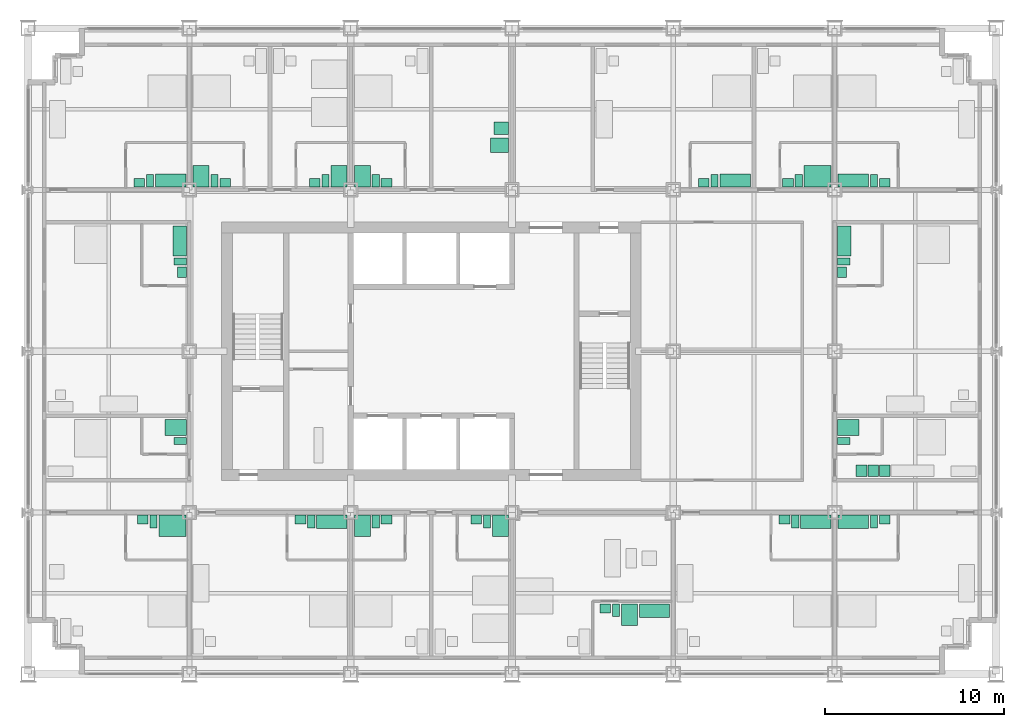
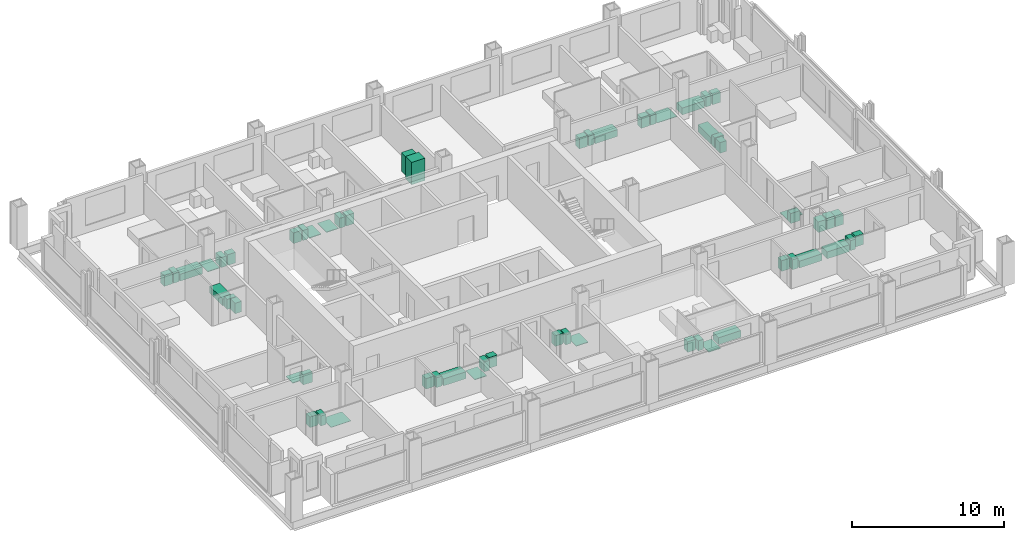
# One storey, part 17 of 18: 53 sanitary terminals, 5 electric appliances.
"""IFC4 building model written with IfcOpenShell, lengths in metres."""

from ifc_helpers import new_model, si_unit, direction, frame, origin, origin_2d, place, context, subcontext, project, spatial, rectangle, extrude, element, save


model = new_model("IFC4")

# Units and contexts
model_context = context("Model", 3, precision=1e-05, world=origin(), true_north=direction((0.0, 1.0)))
body_context = subcontext(model_context, "Body", "Model", "MODEL_VIEW")
ifc_project = project(units=[si_unit("LENGTHUNIT", "METRE"), si_unit("AREAUNIT", "SQUARE_METRE"), si_unit("VOLUMEUNIT", "CUBIC_METRE"), si_unit("PLANEANGLEUNIT", "RADIAN"), si_unit("MASSUNIT", "GRAM", prefix="KILO")], contexts=[model_context])

# Site, building, storey
site_placement = place(None, origin())
site = spatial("IfcSite", under=ifc_project, at=site_placement, CompositionType="ELEMENT")
building_placement = place(site_placement, origin())
building = spatial("IfcBuilding", under=site, at=building_placement, Name="Loomwork Tower", CompositionType="ELEMENT")
storey_placement = place(building_placement, frame((0.0, 0.0, 62.0)))
storey = spatial("IfcBuildingStorey", under=building, at=storey_placement, Name="L15", CompositionType="ELEMENT", Elevation=62.0)

# Sanitary terminals
sanitary_terminal_1_placement = place(storey_placement, frame((8.050048828125, 8.25, 0.0), z_axis=(0.0, 0.0, 1.0), x_axis=(1.0, 0.0, 0.0)))
element("IfcSanitaryTerminal", 1, at=sanitary_terminal_1_placement, inside=storey, Name="Roll-in shower floor L15", PredefinedType="SHOWER", context=body_context, shape_type="SweptSolid", body=[
    extrude(rectangle(XDim=1.5, YDim=1.199951171875, at=origin_2d()), origin(), (0.0, 0.0, 1.0), 0.030029296875),
])
sanitary_terminal_2_placement = place(storey_placement, frame((7.0, 8.5, 0.0), z_axis=(0.0, 0.0, 1.0), x_axis=(1.0, 0.0, 0.0)))
element("IfcSanitaryTerminal", 2, at=sanitary_terminal_2_placement, inside=storey, Name="WC L15", PredefinedType="TOILETPAN", context=body_context, shape_type="SweptSolid", body=[
    extrude(rectangle(XDim=0.39990234375, YDim=0.699951171875, at=origin_2d()), origin(), (0.0, 0.0, 1.0), 0.800048828125),
])
sanitary_terminal_3_placement = place(storey_placement, frame((6.39990234375, 8.60009765625, 0.0), z_axis=(0.0, 0.0, 1.0), x_axis=(1.0, 0.0, 0.0)))
element("IfcSanitaryTerminal", 3, at=sanitary_terminal_3_placement, inside=storey, Name="Basin vanity L15", PredefinedType="WASHHANDBASIN", context=body_context, shape_type="SweptSolid", body=[
    extrude(rectangle(XDim=0.60009765625, YDim=0.5, at=origin_2d()), origin(), (0.0, 0.0, 1.0), 0.85009765625),
])
sanitary_terminal_4_placement = place(storey_placement, frame((16.949951171875, 8.47509765625, 0.0), z_axis=(0.0, 0.0, 1.0), x_axis=(1.0, 0.0, 0.0)))
element("IfcSanitaryTerminal", 4, at=sanitary_terminal_4_placement, inside=storey, Name="Bath L15", PredefinedType="BATH", context=body_context, shape_type="SweptSolid", body=[
    extrude(rectangle(XDim=1.699951171875, YDim=0.75, at=origin_2d()), origin(), (0.0, 0.0, 1.0), 0.550048828125),
])
sanitary_terminal_5_placement = place(storey_placement, frame((15.800048828125, 8.5, 0.0), z_axis=(0.0, 0.0, 1.0), x_axis=(1.0, 0.0, 0.0)))
element("IfcSanitaryTerminal", 5, at=sanitary_terminal_5_placement, inside=storey, Name="WC L15", PredefinedType="TOILETPAN", context=body_context, shape_type="SweptSolid", body=[
    extrude(rectangle(XDim=0.39990234375, YDim=0.699951171875, at=origin_2d()), origin(), (0.0, 0.0, 1.0), 0.800048828125),
])
sanitary_terminal_6_placement = place(storey_placement, frame((15.199951171875, 8.60009765625, 0.0), z_axis=(0.0, 0.0, 1.0), x_axis=(1.0, 0.0, 0.0)))
element("IfcSanitaryTerminal", 6, at=sanitary_terminal_6_placement, inside=storey, Name="Basin vanity L15", PredefinedType="WASHHANDBASIN", context=body_context, shape_type="SweptSolid", body=[
    extrude(rectangle(XDim=0.60009765625, YDim=0.5, at=origin_2d()), origin(), (0.0, 0.0, 1.0), 0.85009765625),
])
sanitary_terminal_7_placement = place(storey_placement, frame((18.64990234375, 8.25, 0.0), z_axis=(0.0, 0.0, 1.0), x_axis=(1.0, 0.0, 0.0)))
element("IfcSanitaryTerminal", 7, at=sanitary_terminal_7_placement, inside=storey, Name="Shower tray L15", PredefinedType="SHOWER", context=body_context, shape_type="SweptSolid", body=[
    extrude(rectangle(XDim=0.89990234375, YDim=1.199951171875, at=origin_2d()), origin(), (0.0, 0.0, 1.0), 0.050048828125),
])
sanitary_terminal_8_placement = place(storey_placement, frame((19.39990234375, 8.5, 0.0), z_axis=(0.0, 0.0, 1.0), x_axis=(1.0, 0.0, 0.0)))
element("IfcSanitaryTerminal", 8, at=sanitary_terminal_8_placement, inside=storey, Name="WC L15", PredefinedType="TOILETPAN", context=body_context, shape_type="SweptSolid", body=[
    extrude(rectangle(XDim=0.39990234375, YDim=0.699951171875, at=origin_2d()), origin(), (0.0, 0.0, 1.0), 0.800048828125),
])
sanitary_terminal_9_placement = place(storey_placement, frame((20.0, 8.60009765625, 0.0), z_axis=(0.0, 0.0, 1.0), x_axis=(1.0, 0.0, 0.0)))
element("IfcSanitaryTerminal", 9, at=sanitary_terminal_9_placement, inside=storey, Name="Basin vanity L15", PredefinedType="WASHHANDBASIN", context=body_context, shape_type="SweptSolid", body=[
    extrude(rectangle(XDim=0.60009765625, YDim=0.5, at=origin_2d()), origin(), (0.0, 0.0, 1.0), 0.85009765625),
])
sanitary_terminal_10_placement = place(storey_placement, frame((26.35009765625, 8.25, 0.0), z_axis=(0.0, 0.0, 1.0), x_axis=(1.0, 0.0, 0.0)))
element("IfcSanitaryTerminal", 10, at=sanitary_terminal_10_placement, inside=storey, Name="Shower tray L15", PredefinedType="SHOWER", context=body_context, shape_type="SweptSolid", body=[
    extrude(rectangle(XDim=0.89990234375, YDim=1.199951171875, at=origin_2d()), origin(), (0.0, 0.0, 1.0), 0.050048828125),
])
sanitary_terminal_11_placement = place(storey_placement, frame((25.60009765625, 8.5, 0.0), z_axis=(0.0, 0.0, 1.0), x_axis=(1.0, 0.0, 0.0)))
element("IfcSanitaryTerminal", 11, at=sanitary_terminal_11_placement, inside=storey, Name="WC L15", PredefinedType="TOILETPAN", context=body_context, shape_type="SweptSolid", body=[
    extrude(rectangle(XDim=0.39990234375, YDim=0.699951171875, at=origin_2d()), origin(), (0.0, 0.0, 1.0), 0.800048828125),
])
sanitary_terminal_12_placement = place(storey_placement, frame((25.0, 8.60009765625, 0.0), z_axis=(0.0, 0.0, 1.0), x_axis=(1.0, 0.0, 0.0)))
element("IfcSanitaryTerminal", 12, at=sanitary_terminal_12_placement, inside=storey, Name="Basin vanity L15", PredefinedType="WASHHANDBASIN", context=body_context, shape_type="SweptSolid", body=[
    extrude(rectangle(XDim=0.60009765625, YDim=0.5, at=origin_2d()), origin(), (0.0, 0.0, 1.0), 0.85009765625),
])
sanitary_terminal_13_placement = place(storey_placement, frame((34.949951171875, 3.52490234375, 0.0), z_axis=(0.0, 0.0, 1.0), x_axis=(1.0, 0.0, 0.0)))
element("IfcSanitaryTerminal", 13, at=sanitary_terminal_13_placement, inside=storey, Name="Bath L15", PredefinedType="BATH", context=body_context, shape_type="SweptSolid", body=[
    extrude(rectangle(XDim=1.699951171875, YDim=0.75, at=origin_2d()), origin(), (0.0, 0.0, 1.0), 0.550048828125),
])
sanitary_terminal_14_placement = place(storey_placement, frame((33.550048828125, 3.300048828125, 0.0), z_axis=(0.0, 0.0, 1.0), x_axis=(1.0, 0.0, 0.0)))
element("IfcSanitaryTerminal", 14, at=sanitary_terminal_14_placement, inside=storey, Name="Shower tray L15", PredefinedType="SHOWER", context=body_context, shape_type="SweptSolid", body=[
    extrude(rectangle(XDim=0.89990234375, YDim=1.199951171875, at=origin_2d()), origin(), (0.0, 0.0, 1.0), 0.050048828125),
])
sanitary_terminal_15_placement = place(storey_placement, frame((32.800048828125, 3.550048828125, 0.0), z_axis=(0.0, 0.0, 1.0), x_axis=(1.0, 0.0, 0.0)))
element("IfcSanitaryTerminal", 15, at=sanitary_terminal_15_placement, inside=storey, Name="WC L15", PredefinedType="TOILETPAN", context=body_context, shape_type="SweptSolid", body=[
    extrude(rectangle(XDim=0.39990234375, YDim=0.699951171875, at=origin_2d()), origin(), (0.0, 0.0, 1.0), 0.800048828125),
])
sanitary_terminal_16_placement = place(storey_placement, frame((32.199951171875, 3.64990234375, 0.0), z_axis=(0.0, 0.0, 1.0), x_axis=(1.0, 0.0, 0.0)))
element("IfcSanitaryTerminal", 16, at=sanitary_terminal_16_placement, inside=storey, Name="Basin vanity L15", PredefinedType="WASHHANDBASIN", context=body_context, shape_type="SweptSolid", body=[
    extrude(rectangle(XDim=0.60009765625, YDim=0.5, at=origin_2d()), origin(), (0.0, 0.0, 1.0), 0.85009765625),
])
sanitary_terminal_17_placement = place(storey_placement, frame((43.949951171875, 8.47509765625, 0.0), z_axis=(0.0, 0.0, 1.0), x_axis=(1.0, 0.0, 0.0)))
element("IfcSanitaryTerminal", 17, at=sanitary_terminal_17_placement, inside=storey, Name="Bath L15", PredefinedType="BATH", context=body_context, shape_type="SweptSolid", body=[
    extrude(rectangle(XDim=1.699951171875, YDim=0.75, at=origin_2d()), origin(), (0.0, 0.0, 1.0), 0.550048828125),
])
sanitary_terminal_18_placement = place(storey_placement, frame((42.800048828125, 8.5, 0.0), z_axis=(0.0, 0.0, 1.0), x_axis=(1.0, 0.0, 0.0)))
element("IfcSanitaryTerminal", 18, at=sanitary_terminal_18_placement, inside=storey, Name="WC L15", PredefinedType="TOILETPAN", context=body_context, shape_type="SweptSolid", body=[
    extrude(rectangle(XDim=0.39990234375, YDim=0.699951171875, at=origin_2d()), origin(), (0.0, 0.0, 1.0), 0.800048828125),
])
sanitary_terminal_19_placement = place(storey_placement, frame((42.199951171875, 8.60009765625, 0.0), z_axis=(0.0, 0.0, 1.0), x_axis=(1.0, 0.0, 0.0)))
element("IfcSanitaryTerminal", 19, at=sanitary_terminal_19_placement, inside=storey, Name="Basin vanity L15", PredefinedType="WASHHANDBASIN", context=body_context, shape_type="SweptSolid", body=[
    extrude(rectangle(XDim=0.60009765625, YDim=0.5, at=origin_2d()), origin(), (0.0, 0.0, 1.0), 0.85009765625),
])
sanitary_terminal_20_placement = place(storey_placement, frame((46.050048828125, 8.47509765625, 0.0), z_axis=(0.0, 0.0, 1.0), x_axis=(1.0, 0.0, 0.0)))
element("IfcSanitaryTerminal", 20, at=sanitary_terminal_20_placement, inside=storey, Name="Bath L15", PredefinedType="BATH", context=body_context, shape_type="SweptSolid", body=[
    extrude(rectangle(XDim=1.699951171875, YDim=0.75, at=origin_2d()), origin(), (0.0, 0.0, 1.0), 0.550048828125),
])
sanitary_terminal_21_placement = place(storey_placement, frame((47.199951171875, 8.5, 0.0), z_axis=(0.0, 0.0, 1.0), x_axis=(1.0, 0.0, 0.0)))
element("IfcSanitaryTerminal", 21, at=sanitary_terminal_21_placement, inside=storey, Name="WC L15", PredefinedType="TOILETPAN", context=body_context, shape_type="SweptSolid", body=[
    extrude(rectangle(XDim=0.39990234375, YDim=0.699951171875, at=origin_2d()), origin(), (0.0, 0.0, 1.0), 0.800048828125),
])
sanitary_terminal_22_placement = place(storey_placement, frame((47.800048828125, 8.60009765625, 0.0), z_axis=(0.0, 0.0, 1.0), x_axis=(1.0, 0.0, 0.0)))
element("IfcSanitaryTerminal", 22, at=sanitary_terminal_22_placement, inside=storey, Name="Basin vanity L15", PredefinedType="WASHHANDBASIN", context=body_context, shape_type="SweptSolid", body=[
    extrude(rectangle(XDim=0.60009765625, YDim=0.5, at=origin_2d()), origin(), (0.0, 0.0, 1.0), 0.85009765625),
])
sanitary_terminal_23_placement = place(storey_placement, frame((7.949951171875, 27.52490234375, 0.0), z_axis=(0.0, 0.0, 1.0), x_axis=(1.0, 0.0, 0.0)))
element("IfcSanitaryTerminal", 23, at=sanitary_terminal_23_placement, inside=storey, Name="Bath L15", PredefinedType="BATH", context=body_context, shape_type="SweptSolid", body=[
    extrude(rectangle(XDim=1.699951171875, YDim=0.75, at=origin_2d()), origin(), (0.0, 0.0, 1.0), 0.550048828125),
])
sanitary_terminal_24_placement = place(storey_placement, frame((6.800048828125, 27.5, 0.0), z_axis=(0.0, 0.0, 1.0), x_axis=(1.0, 0.0, 0.0)))
element("IfcSanitaryTerminal", 24, at=sanitary_terminal_24_placement, inside=storey, Name="WC L15", PredefinedType="TOILETPAN", context=body_context, shape_type="SweptSolid", body=[
    extrude(rectangle(XDim=0.39990234375, YDim=0.699951171875, at=origin_2d()), origin(), (0.0, 0.0, 1.0), 0.800048828125),
])
sanitary_terminal_25_placement = place(storey_placement, frame((6.199951171875, 27.39990234375, 0.0), z_axis=(0.0, 0.0, 1.0), x_axis=(1.0, 0.0, 0.0)))
element("IfcSanitaryTerminal", 25, at=sanitary_terminal_25_placement, inside=storey, Name="Basin vanity L15", PredefinedType="WASHHANDBASIN", context=body_context, shape_type="SweptSolid", body=[
    extrude(rectangle(XDim=0.60009765625, YDim=0.5, at=origin_2d()), origin(), (0.0, 0.0, 1.0), 0.85009765625),
])
sanitary_terminal_26_placement = place(storey_placement, frame((9.64990234375, 27.75, 0.0), z_axis=(0.0, 0.0, 1.0), x_axis=(1.0, 0.0, 0.0)))
element("IfcSanitaryTerminal", 26, at=sanitary_terminal_26_placement, inside=storey, Name="Shower tray L15", PredefinedType="SHOWER", context=body_context, shape_type="SweptSolid", body=[
    extrude(rectangle(XDim=0.89990234375, YDim=1.199951171875, at=origin_2d()), origin(), (0.0, 0.0, 1.0), 0.050048828125),
])
sanitary_terminal_27_placement = place(storey_placement, frame((10.39990234375, 27.5, 0.0), z_axis=(0.0, 0.0, 1.0), x_axis=(1.0, 0.0, 0.0)))
element("IfcSanitaryTerminal", 27, at=sanitary_terminal_27_placement, inside=storey, Name="WC L15", PredefinedType="TOILETPAN", context=body_context, shape_type="SweptSolid", body=[
    extrude(rectangle(XDim=0.39990234375, YDim=0.699951171875, at=origin_2d()), origin(), (0.0, 0.0, 1.0), 0.800048828125),
])
sanitary_terminal_28_placement = place(storey_placement, frame((11.0, 27.39990234375, 0.0), z_axis=(0.0, 0.0, 1.0), x_axis=(1.0, 0.0, 0.0)))
element("IfcSanitaryTerminal", 28, at=sanitary_terminal_28_placement, inside=storey, Name="Basin vanity L15", PredefinedType="WASHHANDBASIN", context=body_context, shape_type="SweptSolid", body=[
    extrude(rectangle(XDim=0.60009765625, YDim=0.5, at=origin_2d()), origin(), (0.0, 0.0, 1.0), 0.85009765625),
])
sanitary_terminal_29_placement = place(storey_placement, frame((17.35009765625, 27.75, 0.0), z_axis=(0.0, 0.0, 1.0), x_axis=(1.0, 0.0, 0.0)))
element("IfcSanitaryTerminal", 29, at=sanitary_terminal_29_placement, inside=storey, Name="Shower tray L15", PredefinedType="SHOWER", context=body_context, shape_type="SweptSolid", body=[
    extrude(rectangle(XDim=0.89990234375, YDim=1.199951171875, at=origin_2d()), origin(), (0.0, 0.0, 1.0), 0.050048828125),
])
sanitary_terminal_30_placement = place(storey_placement, frame((16.60009765625, 27.5, 0.0), z_axis=(0.0, 0.0, 1.0), x_axis=(1.0, 0.0, 0.0)))
element("IfcSanitaryTerminal", 30, at=sanitary_terminal_30_placement, inside=storey, Name="WC L15", PredefinedType="TOILETPAN", context=body_context, shape_type="SweptSolid", body=[
    extrude(rectangle(XDim=0.39990234375, YDim=0.699951171875, at=origin_2d()), origin(), (0.0, 0.0, 1.0), 0.800048828125),
])
sanitary_terminal_31_placement = place(storey_placement, frame((16.0, 27.39990234375, 0.0), z_axis=(0.0, 0.0, 1.0), x_axis=(1.0, 0.0, 0.0)))
element("IfcSanitaryTerminal", 31, at=sanitary_terminal_31_placement, inside=storey, Name="Basin vanity L15", PredefinedType="WASHHANDBASIN", context=body_context, shape_type="SweptSolid", body=[
    extrude(rectangle(XDim=0.60009765625, YDim=0.5, at=origin_2d()), origin(), (0.0, 0.0, 1.0), 0.85009765625),
])
sanitary_terminal_32_placement = place(storey_placement, frame((18.64990234375, 27.75, 0.0), z_axis=(0.0, 0.0, 1.0), x_axis=(1.0, 0.0, 0.0)))
element("IfcSanitaryTerminal", 32, at=sanitary_terminal_32_placement, inside=storey, Name="Shower tray L15", PredefinedType="SHOWER", context=body_context, shape_type="SweptSolid", body=[
    extrude(rectangle(XDim=0.89990234375, YDim=1.199951171875, at=origin_2d()), origin(), (0.0, 0.0, 1.0), 0.050048828125),
])
sanitary_terminal_33_placement = place(storey_placement, frame((19.39990234375, 27.5, 0.0), z_axis=(0.0, 0.0, 1.0), x_axis=(1.0, 0.0, 0.0)))
element("IfcSanitaryTerminal", 33, at=sanitary_terminal_33_placement, inside=storey, Name="WC L15", PredefinedType="TOILETPAN", context=body_context, shape_type="SweptSolid", body=[
    extrude(rectangle(XDim=0.39990234375, YDim=0.699951171875, at=origin_2d()), origin(), (0.0, 0.0, 1.0), 0.800048828125),
])
sanitary_terminal_34_placement = place(storey_placement, frame((20.0, 27.39990234375, 0.0), z_axis=(0.0, 0.0, 1.0), x_axis=(1.0, 0.0, 0.0)))
element("IfcSanitaryTerminal", 34, at=sanitary_terminal_34_placement, inside=storey, Name="Basin vanity L15", PredefinedType="WASHHANDBASIN", context=body_context, shape_type="SweptSolid", body=[
    extrude(rectangle(XDim=0.60009765625, YDim=0.5, at=origin_2d()), origin(), (0.0, 0.0, 1.0), 0.85009765625),
])

# Electric appliances
electric_appliance_1_placement = place(storey_placement, frame((26.300048828125, 29.5, 0.0), z_axis=(0.0, 0.0, 1.0), x_axis=(1.0, 0.0, 0.0)))
element("IfcElectricAppliance", 35, at=electric_appliance_1_placement, inside=storey, Name="Vending machine L15", PredefinedType="VENDINGMACHINE", context=body_context, shape_type="SweptSolid", body=[
    extrude(rectangle(XDim=1.0, YDim=0.800048828125, at=origin_2d()), origin(), (0.0, 0.0, 1.0), 1.800048828125),
])
electric_appliance_2_placement = place(storey_placement, frame((26.39990234375, 30.449951171875, 0.0), z_axis=(0.0, 0.0, 1.0), x_axis=(1.0, 0.0, 0.0)))
element("IfcElectricAppliance", 36, at=electric_appliance_2_placement, inside=storey, Name="Ice machine L15", PredefinedType="FREEZER", context=body_context, shape_type="SweptSolid", body=[
    extrude(rectangle(XDim=0.800048828125, YDim=0.699951171875, at=origin_2d()), origin(), (0.0, 0.0, 1.0), 1.5),
])

# Sanitary terminals
sanitary_terminal_35_placement = place(storey_placement, frame((39.449951171875, 27.52490234375, 0.0), z_axis=(0.0, 0.0, 1.0), x_axis=(1.0, 0.0, 0.0)))
element("IfcSanitaryTerminal", 37, at=sanitary_terminal_35_placement, inside=storey, Name="Bath L15", PredefinedType="BATH", context=body_context, shape_type="SweptSolid", body=[
    extrude(rectangle(XDim=1.699951171875, YDim=0.75, at=origin_2d()), origin(), (0.0, 0.0, 1.0), 0.550048828125),
])
sanitary_terminal_36_placement = place(storey_placement, frame((38.300048828125, 27.5, 0.0), z_axis=(0.0, 0.0, 1.0), x_axis=(1.0, 0.0, 0.0)))
element("IfcSanitaryTerminal", 38, at=sanitary_terminal_36_placement, inside=storey, Name="WC L15", PredefinedType="TOILETPAN", context=body_context, shape_type="SweptSolid", body=[
    extrude(rectangle(XDim=0.39990234375, YDim=0.699951171875, at=origin_2d()), origin(), (0.0, 0.0, 1.0), 0.800048828125),
])
sanitary_terminal_37_placement = place(storey_placement, frame((37.699951171875, 27.39990234375, 0.0), z_axis=(0.0, 0.0, 1.0), x_axis=(1.0, 0.0, 0.0)))
element("IfcSanitaryTerminal", 39, at=sanitary_terminal_37_placement, inside=storey, Name="Basin vanity L15", PredefinedType="WASHHANDBASIN", context=body_context, shape_type="SweptSolid", body=[
    extrude(rectangle(XDim=0.60009765625, YDim=0.5, at=origin_2d()), origin(), (0.0, 0.0, 1.0), 0.85009765625),
])
sanitary_terminal_38_placement = place(storey_placement, frame((44.050048828125, 27.75, 0.0), z_axis=(0.0, 0.0, 1.0), x_axis=(1.0, 0.0, 0.0)))
element("IfcSanitaryTerminal", 40, at=sanitary_terminal_38_placement, inside=storey, Name="Roll-in shower floor L15", PredefinedType="SHOWER", context=body_context, shape_type="SweptSolid", body=[
    extrude(rectangle(XDim=1.5, YDim=1.199951171875, at=origin_2d()), origin(), (0.0, 0.0, 1.0), 0.030029296875),
])
sanitary_terminal_39_placement = place(storey_placement, frame((43.0, 27.5, 0.0), z_axis=(0.0, 0.0, 1.0), x_axis=(1.0, 0.0, 0.0)))
element("IfcSanitaryTerminal", 41, at=sanitary_terminal_39_placement, inside=storey, Name="WC L15", PredefinedType="TOILETPAN", context=body_context, shape_type="SweptSolid", body=[
    extrude(rectangle(XDim=0.39990234375, YDim=0.699951171875, at=origin_2d()), origin(), (0.0, 0.0, 1.0), 0.800048828125),
])
sanitary_terminal_40_placement = place(storey_placement, frame((42.39990234375, 27.39990234375, 0.0), z_axis=(0.0, 0.0, 1.0), x_axis=(1.0, 0.0, 0.0)))
element("IfcSanitaryTerminal", 42, at=sanitary_terminal_40_placement, inside=storey, Name="Basin vanity L15", PredefinedType="WASHHANDBASIN", context=body_context, shape_type="SweptSolid", body=[
    extrude(rectangle(XDim=0.60009765625, YDim=0.5, at=origin_2d()), origin(), (0.0, 0.0, 1.0), 0.85009765625),
])
sanitary_terminal_41_placement = place(storey_placement, frame((46.050048828125, 27.52490234375, 0.0), z_axis=(0.0, 0.0, 1.0), x_axis=(1.0, 0.0, 0.0)))
element("IfcSanitaryTerminal", 43, at=sanitary_terminal_41_placement, inside=storey, Name="Bath L15", PredefinedType="BATH", context=body_context, shape_type="SweptSolid", body=[
    extrude(rectangle(XDim=1.699951171875, YDim=0.75, at=origin_2d()), origin(), (0.0, 0.0, 1.0), 0.550048828125),
])
sanitary_terminal_42_placement = place(storey_placement, frame((47.199951171875, 27.5, 0.0), z_axis=(0.0, 0.0, 1.0), x_axis=(1.0, 0.0, 0.0)))
element("IfcSanitaryTerminal", 44, at=sanitary_terminal_42_placement, inside=storey, Name="WC L15", PredefinedType="TOILETPAN", context=body_context, shape_type="SweptSolid", body=[
    extrude(rectangle(XDim=0.39990234375, YDim=0.699951171875, at=origin_2d()), origin(), (0.0, 0.0, 1.0), 0.800048828125),
])
sanitary_terminal_43_placement = place(storey_placement, frame((47.800048828125, 27.39990234375, 0.0), z_axis=(0.0, 0.0, 1.0), x_axis=(1.0, 0.0, 0.0)))
element("IfcSanitaryTerminal", 45, at=sanitary_terminal_43_placement, inside=storey, Name="Basin vanity L15", PredefinedType="WASHHANDBASIN", context=body_context, shape_type="SweptSolid", body=[
    extrude(rectangle(XDim=0.60009765625, YDim=0.5, at=origin_2d()), origin(), (0.0, 0.0, 1.0), 0.85009765625),
])
sanitary_terminal_44_placement = place(storey_placement, frame((8.25, 13.75, 0.0), z_axis=(0.0, 0.0, 1.0), x_axis=(1.0, 0.0, 0.0)))
element("IfcSanitaryTerminal", 46, at=sanitary_terminal_44_placement, inside=storey, Name="Shower tray L15", PredefinedType="SHOWER", context=body_context, shape_type="SweptSolid", body=[
    extrude(rectangle(XDim=1.199951171875, YDim=0.89990234375, at=origin_2d()), origin(), (0.0, 0.0, 1.0), 0.050048828125),
])
sanitary_terminal_45_placement = place(storey_placement, frame((8.5, 13.0, 0.0), z_axis=(0.0, 0.0, 1.0), x_axis=(1.0, 0.0, 0.0)))
element("IfcSanitaryTerminal", 47, at=sanitary_terminal_45_placement, inside=storey, Name="WC L15", PredefinedType="TOILETPAN", context=body_context, shape_type="SweptSolid", body=[
    extrude(rectangle(XDim=0.699951171875, YDim=0.39990234375, at=origin_2d()), origin(), (0.0, 0.0, 1.0), 0.800048828125),
])
sanitary_terminal_46_placement = place(storey_placement, frame((8.47509765625, 24.14990234375, 0.0), z_axis=(0.0, 0.0, 1.0), x_axis=(1.0, 0.0, 0.0)))
element("IfcSanitaryTerminal", 48, at=sanitary_terminal_46_placement, inside=storey, Name="Bath L15", PredefinedType="BATH", context=body_context, shape_type="SweptSolid", body=[
    extrude(rectangle(XDim=0.75, YDim=1.699951171875, at=origin_2d()), origin(), (0.0, 0.0, 1.0), 0.550048828125),
])
sanitary_terminal_47_placement = place(storey_placement, frame((8.5, 23.0, 0.0), z_axis=(0.0, 0.0, 1.0), x_axis=(1.0, 0.0, 0.0)))
element("IfcSanitaryTerminal", 49, at=sanitary_terminal_47_placement, inside=storey, Name="WC L15", PredefinedType="TOILETPAN", context=body_context, shape_type="SweptSolid", body=[
    extrude(rectangle(XDim=0.699951171875, YDim=0.39990234375, at=origin_2d()), origin(), (0.0, 0.0, 1.0), 0.800048828125),
])
sanitary_terminal_48_placement = place(storey_placement, frame((8.60009765625, 22.39990234375, 0.0), z_axis=(0.0, 0.0, 1.0), x_axis=(1.0, 0.0, 0.0)))
element("IfcSanitaryTerminal", 50, at=sanitary_terminal_48_placement, inside=storey, Name="Basin vanity L15", PredefinedType="WASHHANDBASIN", context=body_context, shape_type="SweptSolid", body=[
    extrude(rectangle(XDim=0.5, YDim=0.60009765625, at=origin_2d()), origin(), (0.0, 0.0, 1.0), 0.85009765625),
])
sanitary_terminal_49_placement = place(storey_placement, frame((45.75, 13.75, 0.0), z_axis=(0.0, 0.0, 1.0), x_axis=(1.0, 0.0, 0.0)))
element("IfcSanitaryTerminal", 51, at=sanitary_terminal_49_placement, inside=storey, Name="Shower tray L15", PredefinedType="SHOWER", context=body_context, shape_type="SweptSolid", body=[
    extrude(rectangle(XDim=1.199951171875, YDim=0.89990234375, at=origin_2d()), origin(), (0.0, 0.0, 1.0), 0.050048828125),
])
sanitary_terminal_50_placement = place(storey_placement, frame((45.5, 13.0, 0.0), z_axis=(0.0, 0.0, 1.0), x_axis=(1.0, 0.0, 0.0)))
element("IfcSanitaryTerminal", 52, at=sanitary_terminal_50_placement, inside=storey, Name="WC L15", PredefinedType="TOILETPAN", context=body_context, shape_type="SweptSolid", body=[
    extrude(rectangle(XDim=0.699951171875, YDim=0.39990234375, at=origin_2d()), origin(), (0.0, 0.0, 1.0), 0.800048828125),
])

# Electric appliances
electric_appliance_3_placement = place(storey_placement, frame((46.5, 11.324951171875, 0.0), z_axis=(0.0, 0.0, 1.0), x_axis=(1.0, 0.0, 0.0)))
element("IfcElectricAppliance", 53, at=electric_appliance_3_placement, inside=storey, Name="Refrigerator L15", PredefinedType="REFRIGERATOR", context=body_context, shape_type="SweptSolid", body=[
    extrude(rectangle(XDim=0.60009765625, YDim=0.64990234375, at=origin_2d()), origin(), (0.0, 0.0, 1.0), 0.85009765625),
])
electric_appliance_4_placement = place(storey_placement, frame((47.14990234375, 11.324951171875, 0.0), z_axis=(0.0, 0.0, 1.0), x_axis=(1.0, 0.0, 0.0)))
element("IfcElectricAppliance", 54, at=electric_appliance_4_placement, inside=storey, Name="Two-ring cooktop and oven L15", PredefinedType="ELECTRICCOOKER", context=body_context, shape_type="SweptSolid", body=[
    extrude(rectangle(XDim=0.60009765625, YDim=0.64990234375, at=origin_2d()), origin(), (0.0, 0.0, 1.0), 0.89990234375),
])
electric_appliance_5_placement = place(storey_placement, frame((47.800048828125, 11.324951171875, 0.0), z_axis=(0.0, 0.0, 1.0), x_axis=(1.0, 0.0, 0.0)))
element("IfcElectricAppliance", 55, at=electric_appliance_5_placement, inside=storey, Name="Dishwasher L15", PredefinedType="DISHWASHER", context=body_context, shape_type="SweptSolid", body=[
    extrude(rectangle(XDim=0.60009765625, YDim=0.64990234375, at=origin_2d()), origin(), (0.0, 0.0, 1.0), 0.85009765625),
])

# Sanitary terminals
sanitary_terminal_51_placement = place(storey_placement, frame((45.52490234375, 24.14990234375, 0.0), z_axis=(0.0, 0.0, 1.0), x_axis=(1.0, 0.0, 0.0)))
element("IfcSanitaryTerminal", 56, at=sanitary_terminal_51_placement, inside=storey, Name="Bath L15", PredefinedType="BATH", context=body_context, shape_type="SweptSolid", body=[
    extrude(rectangle(XDim=0.75, YDim=1.699951171875, at=origin_2d()), origin(), (0.0, 0.0, 1.0), 0.550048828125),
])
sanitary_terminal_52_placement = place(storey_placement, frame((45.5, 23.0, 0.0), z_axis=(0.0, 0.0, 1.0), x_axis=(1.0, 0.0, 0.0)))
element("IfcSanitaryTerminal", 57, at=sanitary_terminal_52_placement, inside=storey, Name="WC L15", PredefinedType="TOILETPAN", context=body_context, shape_type="SweptSolid", body=[
    extrude(rectangle(XDim=0.699951171875, YDim=0.39990234375, at=origin_2d()), origin(), (0.0, 0.0, 1.0), 0.800048828125),
])
sanitary_terminal_53_placement = place(storey_placement, frame((45.39990234375, 22.39990234375, 0.0), z_axis=(0.0, 0.0, 1.0), x_axis=(1.0, 0.0, 0.0)))
element("IfcSanitaryTerminal", 58, at=sanitary_terminal_53_placement, inside=storey, Name="Basin vanity L15", PredefinedType="WASHHANDBASIN", context=body_context, shape_type="SweptSolid", body=[
    extrude(rectangle(XDim=0.5, YDim=0.60009765625, at=origin_2d()), origin(), (0.0, 0.0, 1.0), 0.85009765625),
])

save(model, "model.ifc")
